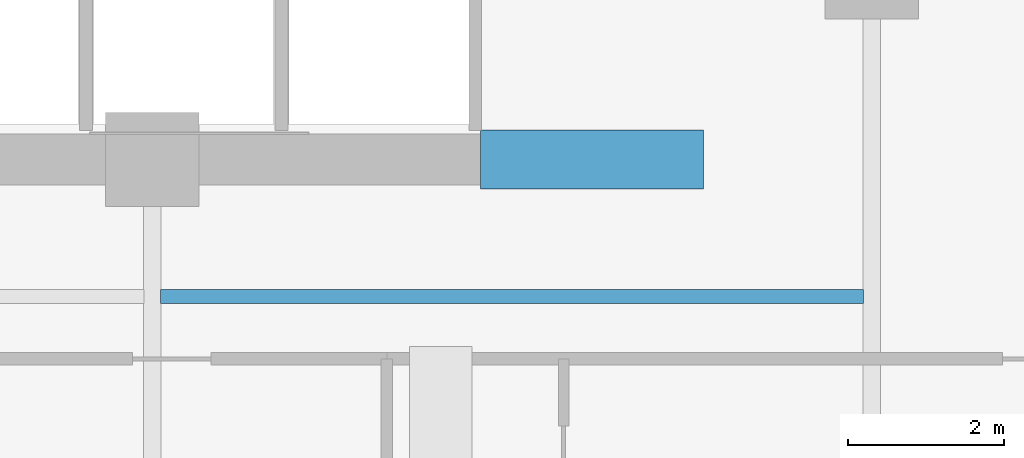
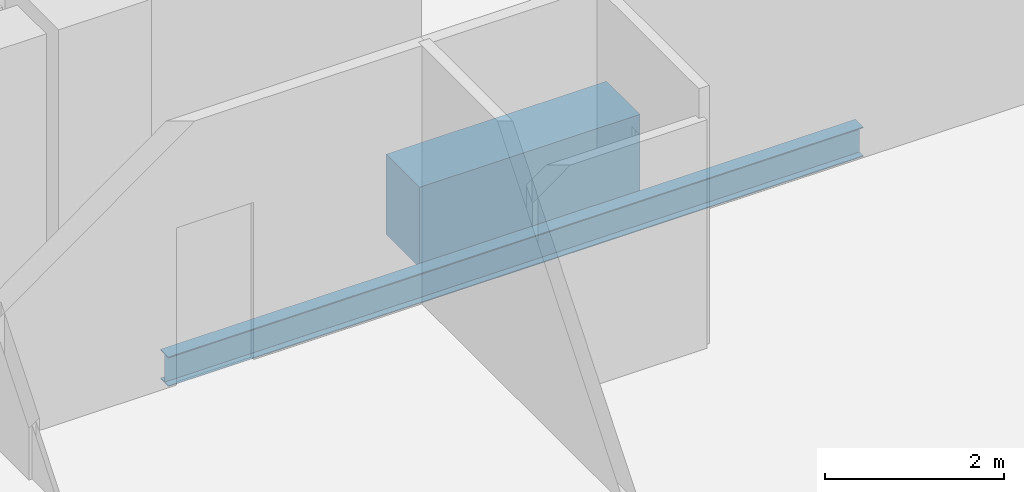
# One storey, part 13 of 32: 2 beams.
"""IFC4 building model written with IfcOpenShell, lengths in metres."""

from ifc_helpers import new_model, si_unit, direction, frame, origin, origin_2d, place, context, subcontext, project, spatial, rectangle, i_section, extrude, material, material_profile, profile_set, type_object, element, save


model = new_model("IFC4")

# Units and contexts
model_context = context("Model", 3, precision=1e-05, world=origin(), true_north=direction((0.0, 1.0)))
body_context = subcontext(model_context, "Body", "Model", "MODEL_VIEW")
ifc_project = project(units=[si_unit("LENGTHUNIT", "METRE"), si_unit("AREAUNIT", "SQUARE_METRE"), si_unit("VOLUMEUNIT", "CUBIC_METRE"), si_unit("PLANEANGLEUNIT", "RADIAN"), si_unit("MASSUNIT", "GRAM", prefix="KILO")], contexts=[model_context])

# Site, building, storey
site_placement = place(None, origin())
site = spatial("IfcSite", under=ifc_project, at=site_placement, CompositionType="ELEMENT")
building_placement = place(site_placement, origin())
building = spatial("IfcBuilding", under=site, at=building_placement, Name="Zuhayl Quay Hotel", CompositionType="ELEMENT")
storey_placement = place(building_placement, frame((0.0, 0.0, 203.64990234375)))
storey = spatial("IfcBuildingStorey", under=building, at=storey_placement, Name="L51", CompositionType="ELEMENT", Elevation=203.64990234375)

# Beams
ifc_material_1 = material(Name="Concrete C60/75", Category="concrete")
ifc_material_profile_1 = material_profile(ifc_material_1, rectangle(XDim=0.75, YDim=1.10009765625, at=origin_2d()), Name="RC750X1100")
ifc_profile_set_1 = profile_set([ifc_material_profile_1], Name="Concrete C60/75")
beam_type_1 = type_object("IfcBeamType", Name="BM_CB2_RC750", PredefinedType="T_BEAM", material=ifc_profile_set_1)
beam_1_placement = place(storey_placement, frame((8.800048828125, 2.14990234375, -0.77001953125), z_axis=(1.0, 0.0, 0.0), x_axis=(0.0, 1.0, 0.0)))
element("IfcBeam", 1, at=beam_1_placement, inside=storey, type_object=beam_type_1, Name="L51 Core Coupling Beam SE", PredefinedType="T_BEAM", context=body_context, shape_type="SweptSolid", body=[
    extrude(rectangle(XDim=0.75, YDim=1.10009765625, at=origin_2d()), origin(), (0.0, 0.0, 1.0), 2.849853515625),
])
ifc_material_2 = material(Name="Steel ASTM A992 Grade 50", Category="steel")
ifc_material_profile_2 = material_profile(ifc_material_2, i_section(OverallWidth=0.177978515625, OverallDepth=0.406005859375, WebThickness=0.0078125, FlangeThickness=0.0126953125, at=origin_2d()), Name="W16X40")
ifc_profile_set_2 = profile_set([ifc_material_profile_2], Name="Steel ASTM A992 Grade 50")
beam_type_2 = type_object("IfcBeamType", Name="BM_J2B_W16X40", PredefinedType="JOIST", material=ifc_profile_set_2)
beam_2_placement = place(storey_placement, frame((4.7060546875, 0.39990234375, -0.4228515625), z_axis=(1.0, 0.0, 0.0), x_axis=(0.0, 1.0, 0.0)))
element("IfcBeam", 2, at=beam_2_placement, inside=storey, type_object=beam_type_2, Name="L51 Floor Beam FJ_L51_8_3", PredefinedType="JOIST", context=body_context, shape_type="SweptSolid", body=[
    extrude(i_section(OverallWidth=0.177978515625, OverallDepth=0.406005859375, WebThickness=0.0078125, FlangeThickness=0.0126953125, at=origin_2d()), origin(), (0.0, 0.0, 1.0), 8.988037109375),
])

save(model, "model.ifc")
